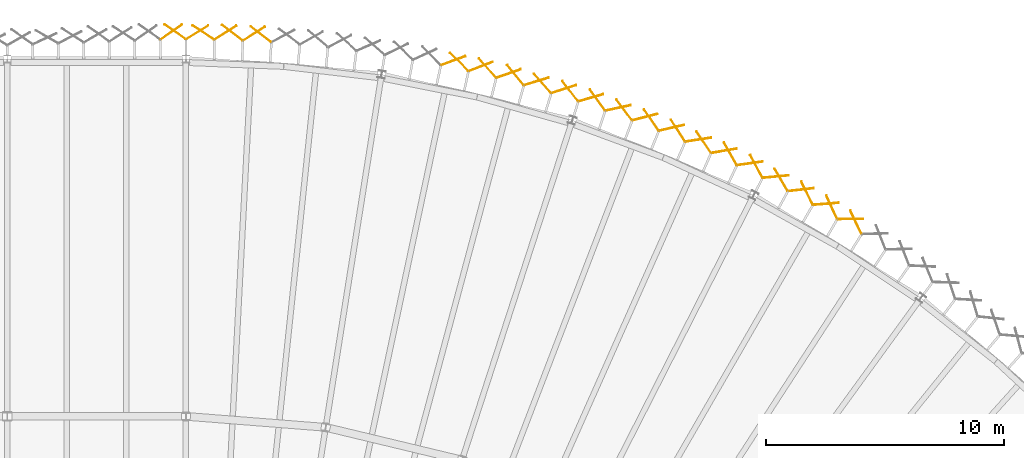
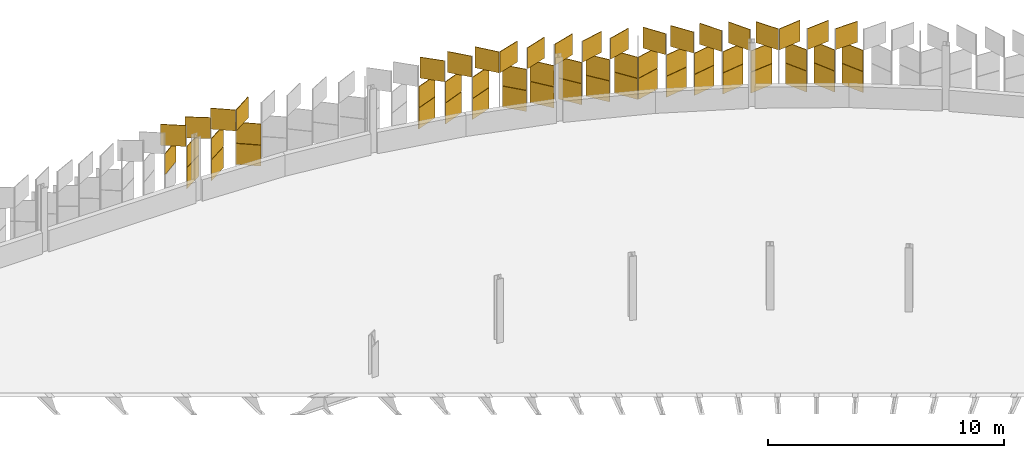
# One storey, part 198 of 198: 59 coverings.
"""IFC4 building model written with IfcOpenShell, lengths in metres."""

from ifc_helpers import new_model, si_unit, direction, frame, origin, origin_2d, place, context, subcontext, project, spatial, rectangle, extrude, material, layer, layer_set, type_object, element, save


model = new_model("IFC4")

# Units and contexts
model_context = context("Model", 3, precision=1e-05, world=origin(), true_north=direction((0.0, 1.0)))
body_context = subcontext(model_context, "Body", "Model", "MODEL_VIEW")
ifc_project = project(units=[si_unit("LENGTHUNIT", "METRE"), si_unit("AREAUNIT", "SQUARE_METRE"), si_unit("VOLUMEUNIT", "CUBIC_METRE"), si_unit("PLANEANGLEUNIT", "RADIAN"), si_unit("MASSUNIT", "GRAM", prefix="KILO")], contexts=[model_context])

# Site, building, storey
site_placement = place(None, origin())
site = spatial("IfcSite", under=ifc_project, at=site_placement, CompositionType="ELEMENT")
building_placement = place(site_placement, origin())
building = spatial("IfcBuilding", under=site, at=building_placement, Name="Parallax Yard Mobility Hub", CompositionType="ELEMENT")
storey_placement = place(building_placement, frame((0.0, 0.0, 6.60009765625)))
storey = spatial("IfcBuildingStorey", under=building, at=storey_placement, Name="L02", CompositionType="ELEMENT", Elevation=6.60009765625)

# Coverings
ifc_material_1 = material(Name="Aluminium panel, champagne finish", Category="aluminium")
ifc_layer_1 = layer(ifc_material_1, 0.030029296875)
ifc_layer_set_1 = layer_set([ifc_layer_1], Name="Skin panel 32.5 degree turn, champagne finish")
covering_type_1 = type_object("IfcCoveringType", Name="Skin panel 32.5 degree turn, champagne finish", PredefinedType="CLADDING", material=ifc_layer_set_1)
for number, where, z_axis, x_axis, name in (
    (1, (200.625, 135.6494140625, 1.119873046875), (0.0, 0.0, 1.0), (-0.431942509836, 0.901901141033, 0.0), "Skin panel 32.5 bay 47.4 row 2 level L02"),
    (2, (200.39990234375, 135.781982421875, 2.219970703125), (0.0, 0.0, 1.0), (0.999946819934, 0.010312967731, 0.0), "Skin panel 32.5 bay 47.4 row 3 level L02"),
    (3, (197.259521484375, 137.560546875, 1.119873046875), (0.0, 0.0, 1.0), (0.995396198367, 0.09584575252, 0.0), "Skin panel 32.5 bay 47.7 row 2 level L02"),
    (4, (197.486572265625, 137.430908203125, 2.219970703125), (0.0, 0.0, 1.0), (-0.507538362961, 0.861629160442, 0.0), "Skin panel 32.5 bay 47.7 row 3 level L02"),
    (5, (194.010986328125, 139.11328125, 1.119873046875), (0.0, 0.0, 1.0), (0.988301163175, 0.152514952931, 0.0), "Skin panel 32.5 bay 48.3 row 2 level L02"),
    (6, (194.236572265625, 139.01416015625, 2.219970703125), (0.0, 0.0, 1.0), (-0.555899609138, 0.831249435826, 0.0), "Skin panel 32.5 bay 48.3 row 3 level L02"),
    (7, (190.8984375, 140.36328125, 1.119873046875), (0.0, 0.0, 1.0), (-0.602449049595, 0.798157342033, 0.0), "Skin panel 32.5 bay 48.6 row 2 level L02"),
    (8, (190.650390625, 140.445556640625, 2.219970703125), (0.0, 0.0, 1.0), (0.977982184493, 0.208688396455, 0.0), "Skin panel 32.5 bay 48.6 row 3 level L02"),
    (9, (187.467041015625, 141.47998046875, 1.119873046875), (0.0, 0.0, 1.0), (-0.668540245689, 0.743675964311, 0.0), "Skin panel 32.5 bay 49.2 row 2 level L02"),
    (10, (187.218017578125, 141.55908203125, 2.219970703125), (0.0, 0.0, 1.0), (0.956536634024, 0.29161218728, 0.0), "Skin panel 32.5 bay 49.2 row 3 level L02"),
    (11, (183.724365234375, 142.4296875, 1.119873046875), (0.0, 0.0, 1.0), (0.938328390314, 0.345745328141, 0.0), "Skin panel 32.5 bay 49.5 row 2 level L02"),
    (12, (183.965087890625, 142.377197265625, 2.219970703125), (0.0, 0.0, 1.0), (-0.709906396482, 0.704296037355, 0.0), "Skin panel 32.5 bay 49.5 row 3 level L02"),
    (13, (172.975341796875, 143.615966796875, 1.119873046875), (0.0, 0.0, 1.0), (0.850977982527, 0.525201364482, 0.0), "Skin panel 32.5 bay 50.7 row 2 level L02"),
    (14, (173.22900390625, 143.612548828125, 2.219970703125), (0.0, 0.0, 1.0), (-0.835632922148, 0.54928828444, 0.0), "Skin panel 32.5 bay 50.7 row 3 level L02"),
):
    element("IfcCovering", number, at=place(storey_placement, frame(where, z_axis=z_axis, x_axis=x_axis)), inside=storey, type_object=covering_type_1, Name=name, ObjectType="SCREEN", PredefinedType="CLADDING", context=body_context, shape_type="SweptSolid", body=[
        extrude(rectangle(XDim=1.080078125, YDim=0.030029296875, at=origin_2d()), origin(), (0.0, 0.0, 1.0), 1.080078125),
    ])
ifc_material_2 = material(Name="Aluminium panel, light oak finish", Category="aluminium")
ifc_layer_2 = layer(ifc_material_2, 0.030029296875)
ifc_layer_set_2 = layer_set([ifc_layer_2], Name="Skin panel 32.5 degree turn, oak finish")
covering_type_2 = type_object("IfcCoveringType", Name="Skin panel 32.5 degree turn, oak finish", PredefinedType="CLADDING", material=ifc_layer_set_2)
for number, where, z_axis, x_axis, name in (
    (15, (200.625, 135.6494140625, 0.019775390625), (0.0, 0.0, 1.0), (-0.431942509836, 0.901901141033, 0.0), "Skin panel 32.5 bay 47.4 row 1 level L02"),
    (16, (197.259521484375, 137.560546875, 0.019775390625), (0.0, 0.0, 1.0), (0.995396198367, 0.09584575252, 0.0), "Skin panel 32.5 bay 47.7 row 1 level L02"),
    (17, (194.010986328125, 139.11328125, 0.019775390625), (0.0, 0.0, 1.0), (0.988301163175, 0.152514952931, 0.0), "Skin panel 32.5 bay 48.3 row 1 level L02"),
    (18, (190.8984375, 140.36328125, 0.019775390625), (0.0, 0.0, 1.0), (-0.602449049595, 0.798157342033, 0.0), "Skin panel 32.5 bay 48.6 row 1 level L02"),
    (19, (187.467041015625, 141.47998046875, 0.019775390625), (0.0, 0.0, 1.0), (-0.668540245689, 0.743675964311, 0.0), "Skin panel 32.5 bay 49.2 row 1 level L02"),
    (20, (183.724365234375, 142.4296875, 0.019775390625), (0.0, 0.0, 1.0), (0.938328390314, 0.345745328141, 0.0), "Skin panel 32.5 bay 49.5 row 1 level L02"),
    (21, (172.975341796875, 143.615966796875, 0.019775390625), (0.0, 0.0, 1.0), (0.850977982527, 0.525201364482, 0.0), "Skin panel 32.5 bay 50.7 row 1 level L02"),
):
    element("IfcCovering", number, at=place(storey_placement, frame(where, z_axis=z_axis, x_axis=x_axis)), inside=storey, type_object=covering_type_2, Name=name, ObjectType="SCREEN", PredefinedType="CLADDING", context=body_context, shape_type="SweptSolid", body=[
        extrude(rectangle(XDim=1.080078125, YDim=0.030029296875, at=origin_2d()), origin(), (0.0, 0.0, 1.0), 1.080078125),
    ])
ifc_layer_3 = layer(ifc_material_1, 0.030029296875)
ifc_layer_set_3 = layer_set([ifc_layer_3], Name="Skin panel 35 degree turn, champagne finish")
covering_type_3 = type_object("IfcCoveringType", Name="Skin panel 35 degree turn, champagne finish", PredefinedType="CLADDING", material=ifc_layer_set_3)
for number, where, z_axis, x_axis, name in (
    (22, (199.61083984375, 136.28173828125, 1.119873046875), (0.0, 0.0, 1.0), (-0.418299907681, 0.908308971239, 0.0), "Skin panel 35 bay 47.5 row 2 level L02"),
    (23, (199.374755859375, 136.41943359375, 2.219970703125), (0.0, 0.0, 1.0), (0.996598232046, 0.082413371996, 0.0), "Skin panel 35 bay 47.5 row 3 level L02"),
    (24, (198.5732421875, 136.872314453125, 1.119873046875), (0.0, 0.0, 1.0), (-0.44406604395, 0.895994056125, 0.0), "Skin panel 35 bay 47.6 row 2 level L02"),
    (25, (198.32177734375, 137.01318359375, 2.219970703125), (0.0, 0.0, 1.0), (0.993838534806, 0.110837569146, 0.0), "Skin panel 35 bay 47.6 row 3 level L02"),
    (26, (196.18212890625, 138.1181640625, 1.119873046875), (0.0, 0.0, 1.0), (0.990268068742, 0.13917310096, 0.0), "Skin panel 35 bay 48.1 row 2 level L02"),
    (27, (196.444580078125, 137.99853515625, 2.219970703125), (0.0, 0.0, 1.0), (-0.469471562786, 0.882947592859, 0.0), "Skin panel 35 bay 48.1 row 3 level L02"),
    (28, (195.09423828125, 138.644775390625, 1.119873046875), (0.0, 0.0, 1.0), (0.985889889941, 0.167395116152, 0.0), "Skin panel 35 bay 48.2 row 2 level L02"),
    (29, (195.356201171875, 138.5244140625, 2.219970703125), (0.0, 0.0, 1.0), (-0.494494156864, 0.869180952867, 0.0), "Skin panel 35 bay 48.2 row 3 level L02"),
    (30, (192.894287109375, 139.609619140625, 1.119873046875), (0.0, 0.0, 1.0), (0.974725724206, 0.223404929604, 0.0), "Skin panel 35 bay 48.4 row 2 level L02"),
    (31, (193.158935546875, 139.495361328125, 2.219970703125), (0.0, 0.0, 1.0), (-0.543307795692, 0.839533584284, 0.0), "Skin panel 35 bay 48.4 row 3 level L02"),
    (32, (192.03662109375, 139.943603515625, 1.119873046875), (0.0, 0.0, 1.0), (-0.567060517311, 0.823676131563, 0.0), "Skin panel 35 bay 48.5 row 2 level L02"),
    (33, (191.772216796875, 140.058837890625, 2.219970703125), (0.0, 0.0, 1.0), (0.967948502152, 0.251148755085, 0.0), "Skin panel 35 bay 48.5 row 3 level L02"),
    (34, (189.778076171875, 140.778564453125, 1.119873046875), (0.0, 0.0, 1.0), (-0.590349306946, 0.807147877274, 0.0), "Skin panel 35 bay 48.7 row 2 level L02"),
    (35, (189.505126953125, 140.871337890625, 2.219970703125), (0.0, 0.0, 1.0), (0.960382258732, 0.278686054753, 0.0), "Skin panel 35 bay 48.7 row 3 level L02"),
    (36, (188.629638671875, 141.15576171875, 1.119873046875), (0.0, 0.0, 1.0), (-0.613158015407, 0.789960282636, 0.0), "Skin panel 35 bay 49.1 row 2 level L02"),
    (37, (188.36865234375, 141.236572265625, 2.219970703125), (0.0, 0.0, 1.0), (0.952032240618, 0.305997733365, 0.0), "Skin panel 35 bay 49.1 row 3 level L02"),
    (38, (186.050537109375, 141.888671875, 1.119873046875), (0.0, 0.0, 1.0), (0.942906278142, 0.333058179063, 0.0), "Skin panel 35 bay 49.3 row 2 level L02"),
    (39, (186.332275390625, 141.826416015625, 2.219970703125), (0.0, 0.0, 1.0), (-0.63546525355, 0.772129465524, 0.0), "Skin panel 35 bay 49.3 row 3 level L02"),
    (40, (184.879150390625, 142.185791015625, 1.119873046875), (0.0, 0.0, 1.0), (0.933010699538, 0.35984862727, 0.0), "Skin panel 35 bay 49.4 row 2 level L02"),
    (41, (185.160400390625, 142.12255859375, 2.219970703125), (0.0, 0.0, 1.0), (-0.657255552826, 0.753667790395, 0.0), "Skin panel 35 bay 49.4 row 3 level L02"),
    (42, (175.6484375, 143.5361328125, 1.119873046875), (0.0, 0.0, 1.0), (-0.793836522636, 0.608131215552, 0.0), "Skin panel 35 bay 50.5 row 2 level L02"),
    (43, (175.361572265625, 143.564208984375, 2.219970703125), (0.0, 0.0, 1.0), (0.842964496973, 0.537969196928, 0.0), "Skin panel 35 bay 50.5 row 3 level L02"),
    (44, (174.162841796875, 143.606201171875, 1.119873046875), (0.0, 0.0, 1.0), (0.842964496973, 0.537969196928, 0.0), "Skin panel 35 bay 50.6 row 2 level L02"),
    (45, (174.45068359375, 143.603271484375, 2.219970703125), (0.0, 0.0, 1.0), (-0.793836522636, 0.608131215552, 0.0), "Skin panel 35 bay 50.6 row 3 level L02"),
    (46, (171.885986328125, 143.630859375, 1.119873046875), (0.0, 0.0, 1.0), (0.819152044289, 0.573576436351, 0.0), "Skin panel 35 bay 51.1 row 2 level L02"),
    (47, (172.046142578125, 143.642822265625, 2.219970703125), (0.0, 0.0, 1.0), (-0.819152044289, 0.573576436351, 0.0), "Skin panel 35 bay 51.1 row 3 level L02"),
):
    element("IfcCovering", number, at=place(storey_placement, frame(where, z_axis=z_axis, x_axis=x_axis)), inside=storey, type_object=covering_type_3, Name=name, ObjectType="SCREEN", PredefinedType="CLADDING", context=body_context, shape_type="SweptSolid", body=[
        extrude(rectangle(XDim=1.080078125, YDim=0.030029296875, at=origin_2d()), origin(), (0.0, 0.0, 1.0), 1.080078125),
    ])
ifc_layer_4 = layer(ifc_material_2, 0.030029296875)
ifc_layer_set_4 = layer_set([ifc_layer_4], Name="Skin panel 35 degree turn, oak finish")
covering_type_4 = type_object("IfcCoveringType", Name="Skin panel 35 degree turn, oak finish", PredefinedType="CLADDING", material=ifc_layer_set_4)
for number, where, z_axis, x_axis, name in (
    (48, (199.61083984375, 136.28173828125, 0.019775390625), (0.0, 0.0, 1.0), (-0.418299907681, 0.908308971239, 0.0), "Skin panel 35 bay 47.5 row 1 level L02"),
    (49, (198.5732421875, 136.872314453125, 0.019775390625), (0.0, 0.0, 1.0), (-0.44406604395, 0.895994056125, 0.0), "Skin panel 35 bay 47.6 row 1 level L02"),
    (50, (196.18212890625, 138.1181640625, 0.019775390625), (0.0, 0.0, 1.0), (0.990268068742, 0.13917310096, 0.0), "Skin panel 35 bay 48.1 row 1 level L02"),
    (51, (195.09423828125, 138.644775390625, 0.019775390625), (0.0, 0.0, 1.0), (0.985889889941, 0.167395116152, 0.0), "Skin panel 35 bay 48.2 row 1 level L02"),
    (52, (192.894287109375, 139.609619140625, 0.019775390625), (0.0, 0.0, 1.0), (0.974725724206, 0.223404929604, 0.0), "Skin panel 35 bay 48.4 row 1 level L02"),
    (53, (192.03662109375, 139.943603515625, 0.019775390625), (0.0, 0.0, 1.0), (-0.567060517311, 0.823676131563, 0.0), "Skin panel 35 bay 48.5 row 1 level L02"),
    (54, (189.778076171875, 140.778564453125, 0.019775390625), (0.0, 0.0, 1.0), (-0.590349306946, 0.807147877274, 0.0), "Skin panel 35 bay 48.7 row 1 level L02"),
    (55, (188.629638671875, 141.15576171875, 0.019775390625), (0.0, 0.0, 1.0), (-0.613158015407, 0.789960282636, 0.0), "Skin panel 35 bay 49.1 row 1 level L02"),
    (56, (186.050537109375, 141.888671875, 0.019775390625), (0.0, 0.0, 1.0), (0.942906278142, 0.333058179063, 0.0), "Skin panel 35 bay 49.3 row 1 level L02"),
    (57, (184.879150390625, 142.185791015625, 0.019775390625), (0.0, 0.0, 1.0), (0.933010699538, 0.35984862727, 0.0), "Skin panel 35 bay 49.4 row 1 level L02"),
    (58, (175.6484375, 143.5361328125, 0.019775390625), (0.0, 0.0, 1.0), (-0.793836522636, 0.608131215552, 0.0), "Skin panel 35 bay 50.5 row 1 level L02"),
    (59, (174.162841796875, 143.606201171875, 0.019775390625), (0.0, 0.0, 1.0), (0.842964496973, 0.537969196928, 0.0), "Skin panel 35 bay 50.6 row 1 level L02"),
):
    element("IfcCovering", number, at=place(storey_placement, frame(where, z_axis=z_axis, x_axis=x_axis)), inside=storey, type_object=covering_type_4, Name=name, ObjectType="SCREEN", PredefinedType="CLADDING", context=body_context, shape_type="SweptSolid", body=[
        extrude(rectangle(XDim=1.080078125, YDim=0.030029296875, at=origin_2d()), origin(), (0.0, 0.0, 1.0), 1.080078125),
    ])

save(model, "model.ifc")
